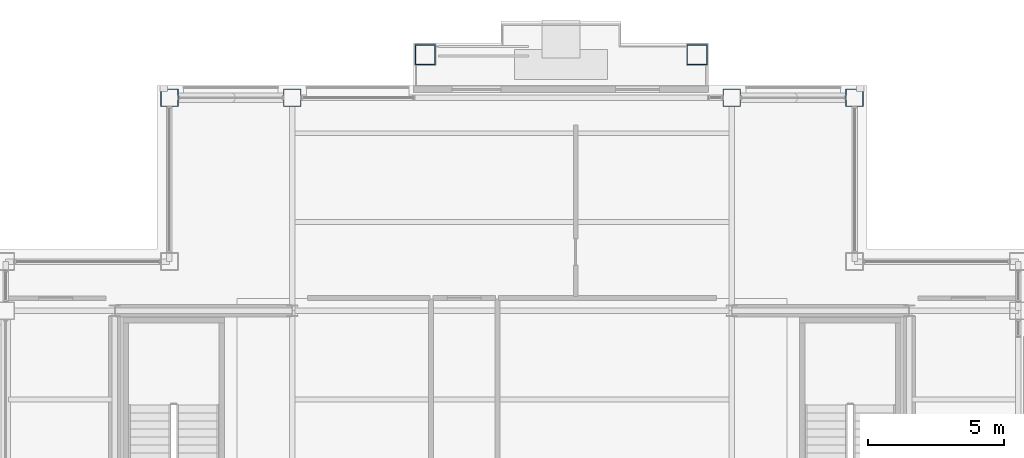
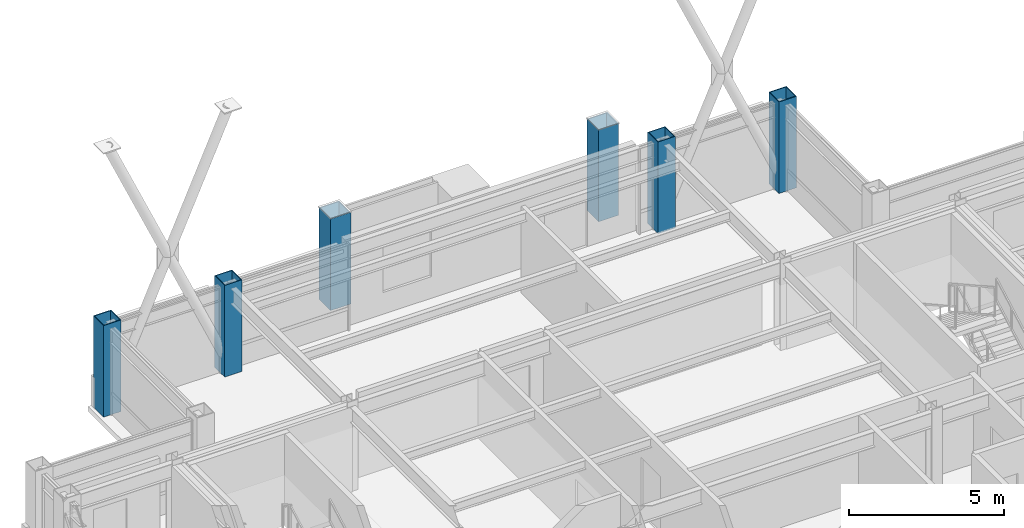
# One storey, part 2 of 30: 6 columns.
"""IFC4 building model written with IfcOpenShell, lengths in metres."""

import ifcopenshell
import ifcopenshell.guid

model = None  # the IFC model being written
_history = None  # IfcOwnerHistory: only IFC2X3 demands one
_inside = {}  # id of a spatial element -> (the spatial element, [elements in it])
_under = {}  # id of a project, library or spatial element -> (it, [spatial elements below it])
_declared = {}  # id of a project -> (the project, [libraries it declares])
_typed = {}  # id of a type object -> (the type object, [elements of that type])
_made_of = {}  # id of a material, layer set ... -> (it, [elements and type objects made of it])


def new_model(schema):
    """Start an empty IFC model of exactly this schema.

    Asked for "IFC4X3", IfcOpenShell would pick the latest addendum, in which some entities
    have other attributes; the version numbers below select the first issue.
    IFC2X3 requires an IfcOwnerHistory on every rooted entity: one is made here for all.
    """
    global model, _history
    if schema == "IFC4X3":
        model = ifcopenshell.file(schema_version=(4, 3, 0, 0))
    else:
        model = ifcopenshell.file(schema=schema)
    _inside.clear()
    _under.clear()
    _declared.clear()
    _typed.clear()
    _made_of.clear()
    _history = None
    if model.schema == "IFC2X3":
        org = make("IfcOrganization", Name="unknown")
        user = make(
            "IfcPersonAndOrganization",
            ThePerson=make("IfcPerson", FamilyName="unknown"),
            TheOrganization=org,
        )
        app = make(
            "IfcApplication",
            ApplicationDeveloper=org,
            Version="unknown",
            ApplicationFullName="unknown",
            ApplicationIdentifier="unknown",
        )
        _history = make(
            "IfcOwnerHistory",
            OwningUser=user,
            OwningApplication=app,
            ChangeAction="ADDED",
            CreationDate=0,
        )
    return model


def make(cls, **values):
    """One entity of the class cls with the attributes given. An attribute that is None is left unset."""
    return model.create_entity(
        cls, **{name: value for name, value in values.items() if value is not None}
    )


def rooted(cls, **values):
    """An entity with a GlobalId (a new one), such as an element, a storey or a relation."""
    return make(cls, GlobalId=ifcopenshell.guid.new(), OwnerHistory=_history, **values)


def si_unit(unit_type, name, prefix=None):
    """IfcSIUnit, for example si_unit("LENGTHUNIT", "METRE", prefix="MILLI")."""
    return make("IfcSIUnit", UnitType=unit_type, Prefix=prefix, Name=name)


def assignment(units):
    """IfcUnitAssignment: the units of a project."""
    return None if units is None else make("IfcUnitAssignment", Units=units)


def point(xyz):
    """IfcCartesianPoint."""
    return None if xyz is None else make("IfcCartesianPoint", Coordinates=xyz)


def direction(xyz):
    """IfcDirection."""
    return None if xyz is None else make("IfcDirection", DirectionRatios=xyz)


def frame(location, z_axis=None, x_axis=None):
    """IfcAxis2Placement3D, a coordinate frame: its origin and axes. An axis left out is left unset."""
    return make(
        "IfcAxis2Placement3D",
        Location=point(location),
        Axis=direction(z_axis),
        RefDirection=direction(x_axis),
    )


def frame_2d(location, x_axis=None):
    """IfcAxis2Placement2D, a coordinate frame in the plane: its origin and x axis."""
    return make(
        "IfcAxis2Placement2D", Location=point(location), RefDirection=direction(x_axis)
    )


def origin():
    """The frame at (0, 0, 0) with its axes left unset."""
    return frame((0.0, 0.0, 0.0))


def origin_2d():
    """The frame at (0, 0) in the plane with its x axis left unset."""
    return frame_2d((0.0, 0.0))


def place(relative_to, where):
    """IfcLocalPlacement: puts the frame where relative to a parent placement (None: the world)."""
    return make(
        "IfcLocalPlacement", PlacementRelTo=relative_to, RelativePlacement=where
    )


def context(
    kind, dimensions, precision=None, world=None, true_north=None, identifier=None
):
    """IfcGeometricRepresentationContext, for example the 3D "Model" context."""
    return make(
        "IfcGeometricRepresentationContext",
        ContextIdentifier=identifier,
        ContextType=kind,
        CoordinateSpaceDimension=dimensions,
        Precision=precision,
        WorldCoordinateSystem=world,
        TrueNorth=true_north,
    )


def subcontext(parent, identifier, kind, view, scale=None):
    """IfcGeometricRepresentationSubContext, for example "Body" below "Model"."""
    return make(
        "IfcGeometricRepresentationSubContext",
        ContextIdentifier=identifier,
        ContextType=kind,
        ParentContext=parent,
        TargetScale=scale,
        TargetView=view,
    )


def project(units=None, contexts=None):
    """IfcProject with its units and contexts."""
    return rooted(
        "IfcProject",
        Name="project",
        RepresentationContexts=contexts,
        UnitsInContext=assignment(units),
    )


def spatial(cls, under=None, at=None, **own):
    """A site, building, storey or space (cls), placed at a placement, below another one or the project."""
    s = rooted(cls, ObjectPlacement=at, **own)
    if under is not None:
        _under.setdefault(under.id(), (under, []))[1].append(s)
    return s


def profile(cls, at=None, kind="AREA", **sizes):
    """A parametric profile (cls). Its sizes go by their IFC names, for example OverallWidth=200.0."""
    return make(cls, ProfileType=kind, Position=at, **sizes)


def hollow_rectangle(**sizes):
    """IfcRectangleHollowProfileDef."""
    return profile("IfcRectangleHollowProfileDef", **sizes)


def extrude(swept, where, along, depth):
    """IfcExtrudedAreaSolid: the profile swept, set in the frame where, extruded along a direction by depth."""
    return make(
        "IfcExtrudedAreaSolid",
        SweptArea=swept,
        Position=where,
        ExtrudedDirection=direction(along),
        Depth=depth,
    )


def shape(context_of_items, identifier, shape_type, items):
    """IfcShapeRepresentation: the items that make up one representation, for example the "Body"."""
    return make(
        "IfcShapeRepresentation",
        ContextOfItems=context_of_items,
        RepresentationIdentifier=identifier,
        RepresentationType=shape_type,
        Items=items,
    )


def material(Name=None, Category=None):
    """IfcMaterial."""
    return make("IfcMaterial", Name=Name, Category=Category)


def material_profile(
    of_material, cross_section, Name=None, Category=None, Priority=None
):
    """IfcMaterialProfile: a cross section and its material."""
    return make(
        "IfcMaterialProfile",
        Name=Name,
        Material=of_material,
        Profile=cross_section,
        Priority=Priority,
        Category=Category,
    )


def profile_set(profiles, Name=None, composite=None):
    """IfcMaterialProfileSet."""
    return make(
        "IfcMaterialProfileSet",
        Name=Name,
        MaterialProfiles=profiles,
        CompositeProfile=composite,
    )


def made_of(thing, what):
    """Note that an element or type object is made of a material, layer set ...; save() writes the relation."""
    if what is not None:
        _made_of.setdefault(what.id(), (what, []))[1].append(thing)
    return thing


def type_object(cls, material=None, **own):
    """A type object (cls), such as IfcWallType, which elements share."""
    return made_of(rooted(cls, **own), material)


def element(
    cls,
    number,
    at=None,
    inside=None,
    cuts=None,
    type_object=None,
    material=None,
    context=None,
    identifier="Body",
    shape_type=None,
    held_by="IfcProductDefinitionShape",
    body=None,
    shapes=None,
    **own,
):
    """One element of the class cls, such as IfcWall. Its Tag is "e" and its number.

    at: its placement. inside: the storey or other place that contains it. cuts: it is an
    opening in that element (IfcRelVoidsElement). A single representation is given by context,
    identifier, shape_type and body (its items); several are given by shapes. held_by: the class
    of the entity that holds the representations. save() writes the other relations.
    """
    e = rooted(cls, Tag="e%d" % number, ObjectPlacement=at, **own)
    if body is not None:
        shapes = [shape(context, identifier, shape_type, body)]
    if shapes is not None:
        e.Representation = make(held_by, Representations=shapes)
    if inside is not None:
        _inside.setdefault(inside.id(), (inside, []))[1].append(e)
    if cuts is not None:
        rooted(
            "IfcRelVoidsElement", RelatingBuildingElement=cuts, RelatedOpeningElement=e
        )
    if type_object is not None:
        _typed.setdefault(type_object.id(), (type_object, []))[1].append(e)
    return made_of(e, material)


def aggregate(whole, parts):
    """IfcRelAggregates: a whole, such as a stair, and the parts it consists of."""
    return rooted("IfcRelAggregates", RelatingObject=whole, RelatedObjects=parts)


def save(model, path):
    """Write the relations noted so far, then the file.

    IfcRelAggregates (storeys below a building ...), IfcRelContainedInSpatialStructure (elements
    in a storey), IfcRelDefinesByType, IfcRelAssociatesMaterial and IfcRelDeclares: one each for
    every whole, place, type object, material and project.
    """
    for whole, parts in _under.values():
        aggregate(whole, parts)
    for where, things in _inside.values():
        rooted(
            "IfcRelContainedInSpatialStructure",
            RelatedElements=things,
            RelatingStructure=where,
        )
    for kind, things in _typed.values():
        rooted("IfcRelDefinesByType", RelatedObjects=things, RelatingType=kind)
    for what, things in _made_of.values():
        rooted("IfcRelAssociatesMaterial", RelatedObjects=things, RelatingMaterial=what)
    for by, libraries in _declared.values():
        rooted("IfcRelDeclares", RelatingContext=by, RelatedDefinitions=libraries)
    model.write(path)


model = new_model("IFC4")

# Units and contexts
model_context = context("Model", 3, precision=1e-05, world=origin(), true_north=direction((0.0, 1.0)))
body_context = subcontext(model_context, "Body", "Model", "MODEL_VIEW")
ifc_project = project(units=[si_unit("LENGTHUNIT", "METRE"), si_unit("AREAUNIT", "SQUARE_METRE"), si_unit("VOLUMEUNIT", "CUBIC_METRE"), si_unit("PLANEANGLEUNIT", "RADIAN"), si_unit("MASSUNIT", "GRAM", prefix="KILO")], contexts=[model_context])

# Site, building, storey
site_placement = place(None, origin())
site = spatial("IfcSite", under=ifc_project, at=site_placement, CompositionType="ELEMENT")
building_placement = place(site_placement, origin())
building = spatial("IfcBuilding", under=site, at=building_placement, Name="Brelmoor Portico Tower", CompositionType="ELEMENT")
storey_placement = place(building_placement, frame((0.0, 0.0, 236.39990234375)))
storey = spatial("IfcBuildingStorey", under=building, at=storey_placement, Name="L62", CompositionType="ELEMENT", Elevation=236.39990234375)

# Columns
ifc_material = material(Name="Steel Q355B", Category="steel")
ifc_material_profile_1 = material_profile(ifc_material, hollow_rectangle(XDim=0.64990234375, YDim=0.64990234375, WallThickness=0.028076171875, at=origin_2d()), Name="BOX 650x650x28")
ifc_profile_set_1 = profile_set([ifc_material_profile_1], Name="Steel Q355B")
column_type_1 = type_object("IfcColumnType", Name="COL-MEGA-650", PredefinedType="COLUMN", material=ifc_profile_set_1)
for number, where, z_axis, x_axis, name in (
    (1, (-12.550048828125, 17.550048828125, 0.0), (0.0, 0.0, 1.0), (1.0, 0.0, 0.0), "L62 Perimeter Mega-Column PN01"),
    (2, (-8.050048828125, 17.550048828125, 0.0), (0.0, 0.0, 1.0), (1.0, 0.0, 0.0), "L62 Perimeter Mega-Column PN02"),
    (3, (8.050048828125, 17.550048828125, 0.0), (0.0, 0.0, 1.0), (1.0, 0.0, 0.0), "L62 Perimeter Mega-Column PN03"),
    (4, (12.550048828125, 17.550048828125, 0.0), (0.0, 0.0, 1.0), (1.0, 0.0, 0.0), "L62 Perimeter Mega-Column PN04"),
):
    element("IfcColumn", number, at=place(storey_placement, frame(where, z_axis=z_axis, x_axis=x_axis)), inside=storey, type_object=column_type_1, Name=name, PredefinedType="COLUMN", context=body_context, shape_type="SweptSolid", body=[
        extrude(hollow_rectangle(XDim=0.64990234375, YDim=0.64990234375, WallThickness=0.028076171875, at=origin_2d()), origin(), (0.0, 0.0, 1.0), 3.60009765625),
    ])
ifc_material_profile_2 = material_profile(ifc_material, hollow_rectangle(XDim=0.75, YDim=0.75, WallThickness=0.031982421875, at=origin_2d()), Name="BOX 750x750x32")
ifc_profile_set_2 = profile_set([ifc_material_profile_2], Name="Steel Q355B")
column_type_2 = type_object("IfcColumnType", Name="COL-MEGA-750", PredefinedType="COLUMN", material=ifc_profile_set_2)
for number, where, z_axis, x_axis, name in (
    (5, (-3.179931640625, 19.1298828125, 0.0), (0.0, 0.0, 1.0), (1.0, 0.0, 0.0), "L62 Proud Picture-Frame Pier PFJ-N1"),
    (6, (6.780029296875, 19.1298828125, 0.0), (0.0, 0.0, 1.0), (1.0, 0.0, 0.0), "L62 Proud Picture-Frame Pier PFJ-N2"),
):
    element("IfcColumn", number, at=place(storey_placement, frame(where, z_axis=z_axis, x_axis=x_axis)), inside=storey, type_object=column_type_2, Name=name, PredefinedType="COLUMN", context=body_context, shape_type="SweptSolid", body=[
        extrude(hollow_rectangle(XDim=0.75, YDim=0.75, WallThickness=0.031982421875, at=origin_2d()), origin(), (0.0, 0.0, 1.0), 3.60009765625),
    ])

save(model, "model.ifc")
